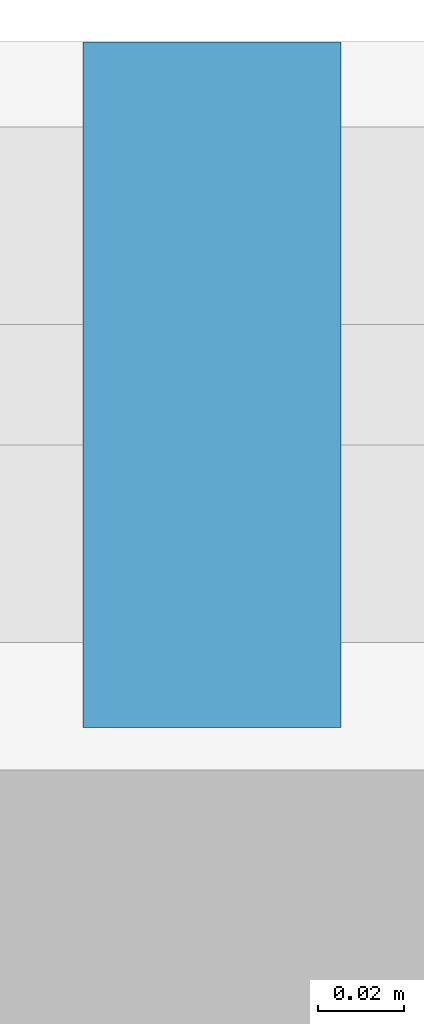
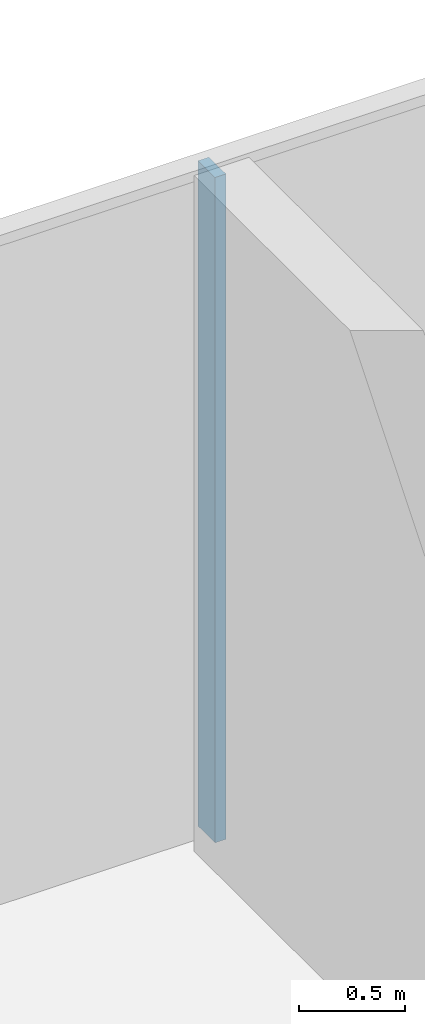
# One storey, part 7 of 14: 1 member, 1 element without a shape of its own.
"""IFC4 building model written with IfcOpenShell, lengths in metres."""

from ifc_helpers import new_model, si_unit, direction, frame, origin, origin_2d, place, context, subcontext, project, spatial, rectangle, extrude, material, material_profile, profile_set, type_object, element, aggregate, save


model = new_model("IFC4")

# Units and contexts
model_context = context("Model", 3, precision=1e-05, world=origin(), true_north=direction((0.0, 1.0)))
body_context = subcontext(model_context, "Body", "Model", "MODEL_VIEW")
ifc_project = project(units=[si_unit("LENGTHUNIT", "METRE"), si_unit("AREAUNIT", "SQUARE_METRE"), si_unit("VOLUMEUNIT", "CUBIC_METRE"), si_unit("PLANEANGLEUNIT", "RADIAN"), si_unit("MASSUNIT", "GRAM", prefix="KILO")], contexts=[model_context])

# Site, building, storey
site_placement = place(None, origin())
site = spatial("IfcSite", under=ifc_project, at=site_placement, CompositionType="ELEMENT")
building_placement = place(site_placement, origin())
building = spatial("IfcBuilding", under=site, at=building_placement, Name="Ogive Portal Towers", CompositionType="ELEMENT")
storey_placement = place(building_placement, frame((0.0, 0.0, 277.10009765625)))
storey = spatial("IfcBuildingStorey", under=building, at=storey_placement, Name="L67", CompositionType="ELEMENT", Elevation=277.10009765625)

# Curtain wall, member
ifc_material_1 = material(Name="Glass, clear low-iron insulated glazing", Category="glass")
curtain_wall_type = type_object("IfcCurtainWallType", Name="CW CROWN GLAZING", PredefinedType="NOTDEFINED", material=ifc_material_1)
curtain_wall_placement = place(storey_placement, origin())
curtain_wall = element("IfcCurtainWall", 1, at=curtain_wall_placement, inside=storey, type_object=curtain_wall_type, Name="A:L67:c12:cw", PredefinedType="NOTDEFINED")
ifc_material_2 = material(Name="Aluminium 6063 anodised", Category="aluminium")
ifc_material_profile = material_profile(ifc_material_2, rectangle(XDim=0.159912109375, YDim=0.06005859375, at=origin_2d()), Name="AL 60x160")
ifc_profile_set = profile_set([ifc_material_profile], Name="Aluminium 6063 anodised")
member_type = type_object("IfcMemberType", Name="CW MULLION 60x160", PredefinedType="MULLION", material=ifc_profile_set)
member_placement = place(storey_placement, frame((63.0, 40.919921875, 0.0), z_axis=(0.0, 0.0, 1.0), x_axis=(0.0, -1.0, 0.0)))
member = element("IfcMember", 2, at=member_placement, type_object=member_type, Name="mullion", PredefinedType="MULLION", context=body_context, shape_type="SweptSolid", body=[
    extrude(rectangle(XDim=0.159912109375, YDim=0.06005859375, at=origin_2d()), origin(), (0.0, 0.0, 1.0), 3.83984375),
])
aggregate(curtain_wall, [member])

save(model, "model.ifc")
